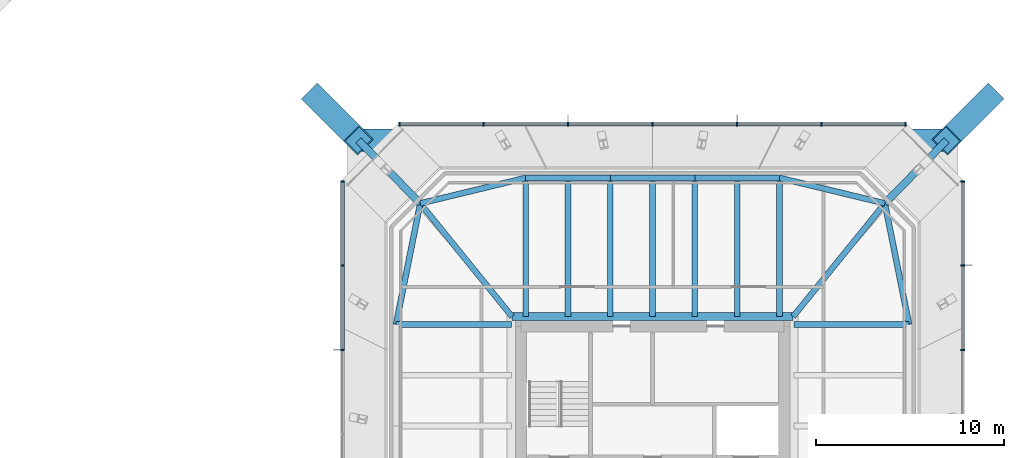
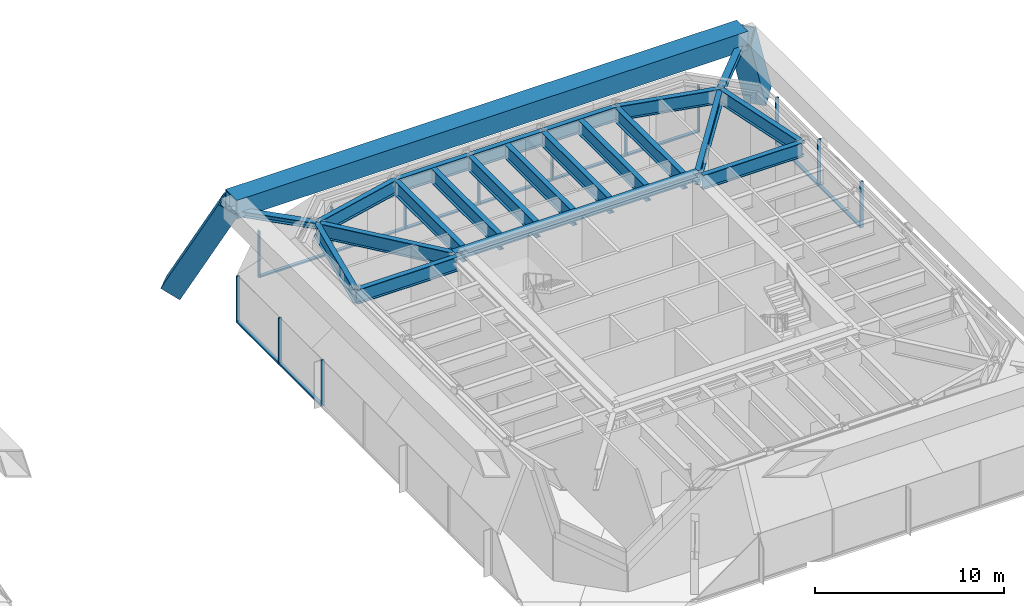
# One storey, part 7 of 16: 28 members, 19 beams, 3 elements without a shape of their own.
"""IFC4 building model written with IfcOpenShell, lengths in metres."""

from ifc_helpers import new_model, si_unit, direction, frame, origin, origin_2d, place, context, subcontext, project, spatial, rectangle, hollow_rectangle, i_section, extrude, material, material_profile, profile_set, type_object, element, aggregate, save


model = new_model("IFC4")

# Units and contexts
model_context = context("Model", 3, precision=1e-05, world=origin(), true_north=direction((0.0, 1.0)))
body_context = subcontext(model_context, "Body", "Model", "MODEL_VIEW")
ifc_project = project(units=[si_unit("LENGTHUNIT", "METRE"), si_unit("AREAUNIT", "SQUARE_METRE"), si_unit("VOLUMEUNIT", "CUBIC_METRE"), si_unit("PLANEANGLEUNIT", "RADIAN"), si_unit("MASSUNIT", "GRAM", prefix="KILO")], contexts=[model_context])

# Site, building, storey
site_placement = place(None, origin())
site = spatial("IfcSite", under=ifc_project, at=site_placement, CompositionType="ELEMENT")
building_placement = place(site_placement, origin())
building = spatial("IfcBuilding", under=site, at=building_placement, Name="Iwan Alto Co-Living Towers", CompositionType="ELEMENT")
storey_placement = place(building_placement, frame((0.0, 0.0, 74.5)))
storey = spatial("IfcBuildingStorey", under=building, at=storey_placement, Name="L20", CompositionType="ELEMENT", Elevation=74.5)

# Curtain wall, members
ifc_material_1 = material(Name="Bronze aluminium unitised frame", Category="aluminium")
curtain_wall_type = type_object("IfcCurtainWallType", Name="CURTAIN WALL CW-C", PredefinedType="NOTDEFINED", material=ifc_material_1)
curtain_wall_1_placement = place(storey_placement, origin())
curtain_wall_1 = element("IfcCurtainWall", 1, at=curtain_wall_1_placement, inside=storey, type_object=curtain_wall_type, Name="T2 curtain wall E L20", PredefinedType="NOTDEFINED")
ifc_material_2 = material(Name="Aluminium 6063-T6 bronze anodised", Category="aluminium")
ifc_material_profile_1 = material_profile(ifc_material_2, rectangle(XDim=0.199951171875, YDim=0.080078125, at=origin_2d()), Name="AL 80X200")
ifc_profile_set_1 = profile_set([ifc_material_profile_1], Name="Aluminium 6063-T6 bronze anodised")
member_type_1 = type_object("IfcMemberType", Name="CW-C MULLION 80X200", PredefinedType="MULLION", material=ifc_profile_set_1)
member_1_placement = place(storey_placement, frame((79.5, 6.75, 0.0), z_axis=(0.0, 0.0, 1.0), x_axis=(-1.0, 0.0, 0.0)))
member_1 = element("IfcMember", 2, at=member_1_placement, type_object=member_type_1, Name="CW-C mullion 6", PredefinedType="MULLION", context=body_context, shape_type="SweptSolid", body=[
    extrude(rectangle(XDim=0.199951171875, YDim=0.080078125, at=origin_2d()), origin(), (0.0, 0.0, 1.0), 3.0),
])
member_2_placement = place(storey_placement, frame((79.5, 11.25, 0.0), z_axis=(0.0, 0.0, 1.0), x_axis=(-1.0, 0.0, 0.0)))
member_2 = element("IfcMember", 3, at=member_2_placement, type_object=member_type_1, Name="CW-C mullion 7", PredefinedType="MULLION", context=body_context, shape_type="SweptSolid", body=[
    extrude(rectangle(XDim=0.199951171875, YDim=0.080078125, at=origin_2d()), origin(), (0.0, 0.0, 1.0), 3.0),
])
member_3_placement = place(storey_placement, frame((79.5, 15.7099609375, 0.0), z_axis=(0.0, 0.0, 1.0), x_axis=(-1.0, 0.0, 0.0)))
member_3 = element("IfcMember", 4, at=member_3_placement, type_object=member_type_1, Name="CW-C mullion 8", PredefinedType="MULLION", context=body_context, shape_type="SweptSolid", body=[
    extrude(rectangle(XDim=0.199951171875, YDim=0.080078125, at=origin_2d()), origin(), (0.0, 0.0, 1.0), 3.0),
])

curtain_wall_2_placement = place(storey_placement, origin())
curtain_wall_2 = element("IfcCurtainWall", 5, at=curtain_wall_2_placement, inside=storey, type_object=curtain_wall_type, Name="T2 curtain wall N L20", PredefinedType="NOTDEFINED")
member_4_placement = place(storey_placement, frame((76.4599609375, 18.75, 0.0), z_axis=(0.0, 0.0, 1.0), x_axis=(0.0, -1.0, 0.0)))
member_4 = element("IfcMember", 6, at=member_4_placement, type_object=member_type_1, Name="CW-C mullion 1", PredefinedType="MULLION", context=body_context, shape_type="SweptSolid", body=[
    extrude(rectangle(XDim=0.199951171875, YDim=0.080078125, at=origin_2d()), origin(), (0.0, 0.0, 1.0), 3.0),
])
member_5_placement = place(storey_placement, frame((72.0, 18.75, 0.0), z_axis=(0.0, 0.0, 1.0), x_axis=(0.0, -1.0, 0.0)))
member_5 = element("IfcMember", 7, at=member_5_placement, type_object=member_type_1, Name="CW-C mullion 2", PredefinedType="MULLION", context=body_context, shape_type="SweptSolid", body=[
    extrude(rectangle(XDim=0.199951171875, YDim=0.080078125, at=origin_2d()), origin(), (0.0, 0.0, 1.0), 3.0),
])
member_6_placement = place(storey_placement, frame((67.5, 18.75, 0.0), z_axis=(0.0, 0.0, 1.0), x_axis=(0.0, -1.0, 0.0)))
member_6 = element("IfcMember", 8, at=member_6_placement, type_object=member_type_1, Name="CW-C mullion 3", PredefinedType="MULLION", context=body_context, shape_type="SweptSolid", body=[
    extrude(rectangle(XDim=0.199951171875, YDim=0.080078125, at=origin_2d()), origin(), (0.0, 0.0, 1.0), 3.0),
])
member_7_placement = place(storey_placement, frame((63.0, 18.75, 0.0), z_axis=(0.0, 0.0, 1.0), x_axis=(0.0, -1.0, 0.0)))
member_7 = element("IfcMember", 9, at=member_7_placement, type_object=member_type_1, Name="CW-C mullion 4", PredefinedType="MULLION", context=body_context, shape_type="SweptSolid", body=[
    extrude(rectangle(XDim=0.199951171875, YDim=0.080078125, at=origin_2d()), origin(), (0.0, 0.0, 1.0), 3.0),
])
member_8_placement = place(storey_placement, frame((58.5, 18.75, 0.0), z_axis=(0.0, 0.0, 1.0), x_axis=(0.0, -1.0, 0.0)))
member_8 = element("IfcMember", 10, at=member_8_placement, type_object=member_type_1, Name="CW-C mullion 5", PredefinedType="MULLION", context=body_context, shape_type="SweptSolid", body=[
    extrude(rectangle(XDim=0.199951171875, YDim=0.080078125, at=origin_2d()), origin(), (0.0, 0.0, 1.0), 3.0),
])
member_9_placement = place(storey_placement, frame((54.0, 18.75, 0.0), z_axis=(0.0, 0.0, 1.0), x_axis=(0.0, -1.0, 0.0)))
member_9 = element("IfcMember", 11, at=member_9_placement, type_object=member_type_1, Name="CW-C mullion 6", PredefinedType="MULLION", context=body_context, shape_type="SweptSolid", body=[
    extrude(rectangle(XDim=0.199951171875, YDim=0.080078125, at=origin_2d()), origin(), (0.0, 0.0, 1.0), 3.0),
])
member_10_placement = place(storey_placement, frame((49.5400390625, 18.75, 0.0), z_axis=(0.0, 0.0, 1.0), x_axis=(0.0, -1.0, 0.0)))
member_10 = element("IfcMember", 12, at=member_10_placement, type_object=member_type_1, Name="CW-C mullion 7", PredefinedType="MULLION", context=body_context, shape_type="SweptSolid", body=[
    extrude(rectangle(XDim=0.199951171875, YDim=0.080078125, at=origin_2d()), origin(), (0.0, 0.0, 1.0), 3.0),
])

curtain_wall_3_placement = place(storey_placement, origin())
curtain_wall_3 = element("IfcCurtainWall", 13, at=curtain_wall_3_placement, inside=storey, type_object=curtain_wall_type, Name="T2 curtain wall W L20", PredefinedType="NOTDEFINED")
member_11_placement = place(storey_placement, frame((46.5, 15.7099609375, 0.0), z_axis=(0.0, 0.0, 1.0), x_axis=(1.0, 0.0, 0.0)))
member_11 = element("IfcMember", 14, at=member_11_placement, type_object=member_type_1, Name="CW-C mullion 1", PredefinedType="MULLION", context=body_context, shape_type="SweptSolid", body=[
    extrude(rectangle(XDim=0.199951171875, YDim=0.080078125, at=origin_2d()), origin(), (0.0, 0.0, 1.0), 3.0),
])
member_12_placement = place(storey_placement, frame((46.5, 11.25, 0.0), z_axis=(0.0, 0.0, 1.0), x_axis=(1.0, 0.0, 0.0)))
member_12 = element("IfcMember", 15, at=member_12_placement, type_object=member_type_1, Name="CW-C mullion 2", PredefinedType="MULLION", context=body_context, shape_type="SweptSolid", body=[
    extrude(rectangle(XDim=0.199951171875, YDim=0.080078125, at=origin_2d()), origin(), (0.0, 0.0, 1.0), 3.0),
])
member_13_placement = place(storey_placement, frame((46.5, 6.75, 0.0), z_axis=(0.0, 0.0, 1.0), x_axis=(1.0, 0.0, 0.0)))
member_13 = element("IfcMember", 16, at=member_13_placement, type_object=member_type_1, Name="CW-C mullion 3", PredefinedType="MULLION", context=body_context, shape_type="SweptSolid", body=[
    extrude(rectangle(XDim=0.199951171875, YDim=0.080078125, at=origin_2d()), origin(), (0.0, 0.0, 1.0), 3.0),
])

# Member
ifc_material_3 = material(Name="Aluminium 6063-T6 bronze anodised", Category="aluminium")
ifc_material_profile_2 = material_profile(ifc_material_3, rectangle(XDim=0.199951171875, YDim=0.10009765625, at=origin_2d()), Name="AL 200X100")
ifc_profile_set_2 = profile_set([ifc_material_profile_2], Name="Aluminium 6063-T6 bronze anodised")
member_type_2 = type_object("IfcMemberType", Name="CW-C TRANSOM 200X100", PredefinedType="USERDEFINED", material=ifc_profile_set_2)
member_14_placement = place(storey_placement, frame((79.5, 6.7900390625, 0.050048828125), z_axis=(0.0, 1.0, 0.0), x_axis=(-1.0, 0.0, 0.0)))
member_14 = element("IfcMember", 17, at=member_14_placement, type_object=member_type_2, Name="CW-C transom 6.1", ObjectType="TRANSOM", PredefinedType="USERDEFINED", context=body_context, shape_type="SweptSolid", body=[
    extrude(rectangle(XDim=0.199951171875, YDim=0.10009765625, at=origin_2d()), origin(), (0.0, 0.0, 1.0), 4.419921875),
])

member_15_placement = place(storey_placement, frame((79.5, 11.2900390625, 0.050048828125), z_axis=(0.0, 1.0, 0.0), x_axis=(-1.0, 0.0, 0.0)))
member_15 = element("IfcMember", 18, at=member_15_placement, type_object=member_type_2, Name="CW-C transom 7.1", ObjectType="TRANSOM", PredefinedType="USERDEFINED", context=body_context, shape_type="SweptSolid", body=[
    extrude(rectangle(XDim=0.199951171875, YDim=0.10009765625, at=origin_2d()), origin(), (0.0, 0.0, 1.0), 4.3798828125),
])

aggregate(curtain_wall_1, [member_1, member_2, member_3, member_14, member_15])

member_16_placement = place(storey_placement, frame((76.419921875, 18.75, 0.050048828125), z_axis=(-1.0, 0.0, 0.0), x_axis=(0.0, -1.0, 0.0)))
member_16 = element("IfcMember", 19, at=member_16_placement, type_object=member_type_2, Name="CW-C transom 1.1", ObjectType="TRANSOM", PredefinedType="USERDEFINED", context=body_context, shape_type="SweptSolid", body=[
    extrude(rectangle(XDim=0.199951171875, YDim=0.10009765625, at=origin_2d()), origin(), (0.0, 0.0, 1.0), 4.3798828125),
])

member_17_placement = place(storey_placement, frame((71.9599609375, 18.75, 0.050048828125), z_axis=(-1.0, 0.0, 0.0), x_axis=(0.0, -1.0, 0.0)))
member_17 = element("IfcMember", 20, at=member_17_placement, type_object=member_type_2, Name="CW-C transom 2.1", ObjectType="TRANSOM", PredefinedType="USERDEFINED", context=body_context, shape_type="SweptSolid", body=[
    extrude(rectangle(XDim=0.199951171875, YDim=0.10009765625, at=origin_2d()), origin(), (0.0, 0.0, 1.0), 4.419921875),
])

member_18_placement = place(storey_placement, frame((67.4599609375, 18.75, 0.050048828125), z_axis=(-1.0, 0.0, 0.0), x_axis=(0.0, -1.0, 0.0)))
member_18 = element("IfcMember", 21, at=member_18_placement, type_object=member_type_2, Name="CW-C transom 3.1", ObjectType="TRANSOM", PredefinedType="USERDEFINED", context=body_context, shape_type="SweptSolid", body=[
    extrude(rectangle(XDim=0.199951171875, YDim=0.10009765625, at=origin_2d()), origin(), (0.0, 0.0, 1.0), 4.419921875),
])

member_19_placement = place(storey_placement, frame((62.9599609375, 18.75, 0.050048828125), z_axis=(-1.0, 0.0, 0.0), x_axis=(0.0, -1.0, 0.0)))
member_19 = element("IfcMember", 22, at=member_19_placement, type_object=member_type_2, Name="CW-C transom 4.1", ObjectType="TRANSOM", PredefinedType="USERDEFINED", context=body_context, shape_type="SweptSolid", body=[
    extrude(rectangle(XDim=0.199951171875, YDim=0.10009765625, at=origin_2d()), origin(), (0.0, 0.0, 1.0), 4.419921875),
])

member_20_placement = place(storey_placement, frame((58.4599609375, 18.75, 0.050048828125), z_axis=(-1.0, 0.0, 0.0), x_axis=(0.0, -1.0, 0.0)))
member_20 = element("IfcMember", 23, at=member_20_placement, type_object=member_type_2, Name="CW-C transom 5.1", ObjectType="TRANSOM", PredefinedType="USERDEFINED", context=body_context, shape_type="SweptSolid", body=[
    extrude(rectangle(XDim=0.199951171875, YDim=0.10009765625, at=origin_2d()), origin(), (0.0, 0.0, 1.0), 4.419921875),
])

member_21_placement = place(storey_placement, frame((53.9599609375, 18.75, 0.050048828125), z_axis=(-1.0, 0.0, 0.0), x_axis=(0.0, -1.0, 0.0)))
member_21 = element("IfcMember", 24, at=member_21_placement, type_object=member_type_2, Name="CW-C transom 6.1", ObjectType="TRANSOM", PredefinedType="USERDEFINED", context=body_context, shape_type="SweptSolid", body=[
    extrude(rectangle(XDim=0.199951171875, YDim=0.10009765625, at=origin_2d()), origin(), (0.0, 0.0, 1.0), 4.3798828125),
])

aggregate(curtain_wall_2, [member_4, member_5, member_6, member_7, member_8, member_9, member_10, member_16, member_17, member_18, member_19, member_20, member_21])

member_22_placement = place(storey_placement, frame((46.5, 15.669921875, 0.050048828125), z_axis=(0.0, -1.0, 0.0), x_axis=(1.0, 0.0, 0.0)))
member_22 = element("IfcMember", 25, at=member_22_placement, type_object=member_type_2, Name="CW-C transom 1.1", ObjectType="TRANSOM", PredefinedType="USERDEFINED", context=body_context, shape_type="SweptSolid", body=[
    extrude(rectangle(XDim=0.199951171875, YDim=0.10009765625, at=origin_2d()), origin(), (0.0, 0.0, 1.0), 4.3798828125),
])

member_23_placement = place(storey_placement, frame((46.5, 11.2099609375, 0.050048828125), z_axis=(0.0, -1.0, 0.0), x_axis=(1.0, 0.0, 0.0)))
member_23 = element("IfcMember", 26, at=member_23_placement, type_object=member_type_2, Name="CW-C transom 2.1", ObjectType="TRANSOM", PredefinedType="USERDEFINED", context=body_context, shape_type="SweptSolid", body=[
    extrude(rectangle(XDim=0.199951171875, YDim=0.10009765625, at=origin_2d()), origin(), (0.0, 0.0, 1.0), 4.419921875),
])

aggregate(curtain_wall_3, [member_11, member_12, member_13, member_22, member_23])

# Beams
ifc_material_4 = material(Name="Steel ASTM A992 Gr 50", Category="steel")
ifc_material_profile_3 = material_profile(ifc_material_4, i_section(OverallWidth=0.436767578125, OverallDepth=0.51318359375, WebThickness=0.060546875, FlangeThickness=0.096923828125, at=origin_2d()), Name="W14X550")
ifc_profile_set_3 = profile_set([ifc_material_profile_3], Name="Steel ASTM A992 Gr 50")
beam_type_1 = type_object("IfcBeamType", Name="T2 CORE LEDGER BEAM W14X550", PredefinedType="BEAM", material=ifc_profile_set_3)
beam_1_placement = place(storey_placement, frame((70.47705078125, 8.5185546875, 5.513427734375), z_axis=(-1.0, 0.0, 0.0), x_axis=(0.0, -1.0, 0.0)))
element("IfcBeam", 27, at=beam_1_placement, inside=storey, type_object=beam_type_1, Name="T2 core ledger beam N L21", PredefinedType="BEAM", context=body_context, shape_type="SweptSolid", body=[
    extrude(i_section(OverallWidth=0.436767578125, OverallDepth=0.51318359375, WebThickness=0.060546875, FlangeThickness=0.096923828125, at=origin_2d()), origin(), (0.0, 0.0, 1.0), 14.9541015625),
])
ifc_material_5 = material(Name="Steel ASTM A992 Gr 50", Category="steel")
ifc_material_profile_4 = material_profile(ifc_material_5, i_section(OverallWidth=0.307373046875, OverallDepth=0.927001953125, WebThickness=0.01953125, FlangeThickness=0.031982421875, at=origin_2d()), Name="W36X194")
ifc_profile_set_4 = profile_set([ifc_material_profile_4], Name="Steel ASTM A992 Gr 50")
beam_type_2 = type_object("IfcBeamType", Name="T2 CORNER GIRDER W36X194", PredefinedType="BEAM", material=ifc_profile_set_4)
for number, where, z_axis, x_axis, name in (
    (28, (75.361328125, 14.542724609375, 5.306396484375), (-0.629787584927, -0.776767402683, 0.0), (0.776767402683, -0.629787584927, 0.0), "T2 corner girder CNE L21"),
    (29, (50.638671875, 14.542724609375, 5.306396484375), (0.629787584927, -0.776767402683, 0.0), (0.776767402683, 0.629787584927, 0.0), "T2 corner girder CNW L21"),
):
    element("IfcBeam", number, at=place(storey_placement, frame(where, z_axis=z_axis, x_axis=x_axis)), inside=storey, type_object=beam_type_2, Name=name, PredefinedType="BEAM", context=body_context, shape_type="SweptSolid", body=[
        extrude(i_section(OverallWidth=0.307373046875, OverallDepth=0.927001953125, WebThickness=0.01953125, FlangeThickness=0.031982421875, at=origin_2d()), origin(), (0.0, 0.0, 1.0), 7.75537109375),
    ])
ifc_material_6 = material(Name="Steel ASTM A992 Gr 50", Category="steel")
ifc_material_profile_5 = material_profile(ifc_material_6, i_section(OverallWidth=0.307373046875, OverallDepth=0.927001953125, WebThickness=0.01953125, FlangeThickness=0.031982421875, at=origin_2d()), Name="W36X194")
ifc_profile_set_5 = profile_set([ifc_material_profile_5], Name="Steel ASTM A992 Gr 50")
beam_type_3 = type_object("IfcBeamType", Name="T2 EDGE BEAM W36X194", PredefinedType="BEAM", material=ifc_profile_set_5)
beam_2_placement = place(storey_placement, frame((76.64990234375, 8.10009765625, 5.306396484375), z_axis=(-0.196123281025, 0.980579246487, 0.0), x_axis=(-0.980579246487, -0.196123281025, 0.0)))
element("IfcBeam", 30, at=beam_2_placement, inside=storey, type_object=beam_type_3, Name="T2 edge beam E4 L21", PredefinedType="BEAM", context=body_context, shape_type="SweptSolid", body=[
    extrude(i_section(OverallWidth=0.307373046875, OverallDepth=0.927001953125, WebThickness=0.01953125, FlangeThickness=0.031982421875, at=origin_2d()), origin(), (0.0, 0.0, 1.0), 6.5703125),
])
beam_3_placement = place(storey_placement, frame((75.361328125, 14.542724609375, 5.306396484375), z_axis=(-0.971974673138, 0.235085590323, 0.0), x_axis=(-0.235085590323, -0.971974673138, 0.0)))
element("IfcBeam", 31, at=beam_3_placement, inside=storey, type_object=beam_type_3, Name="T2 edge beam CNE L21", PredefinedType="BEAM", context=body_context, shape_type="SweptSolid", body=[
    extrude(i_section(OverallWidth=0.307373046875, OverallDepth=0.927001953125, WebThickness=0.01953125, FlangeThickness=0.031982421875, at=origin_2d()), origin(), (0.0, 0.0, 1.0), 5.773193359375),
])
for number, where, z_axis, x_axis, name in (
    (32, (69.75, 15.89990234375, 5.306396484375), (-1.0, 0.0, 0.0), (0.0, -1.0, 0.0), "T2 edge beam N1 L21"),
    (33, (65.25, 15.89990234375, 5.306396484375), (-1.0, 0.0, 0.0), (0.0, -1.0, 0.0), "T2 edge beam N2 L21"),
    (34, (60.75, 15.89990234375, 5.306396484375), (-1.0, 0.0, 0.0), (0.0, -1.0, 0.0), "T2 edge beam N3 L21"),
):
    element("IfcBeam", number, at=place(storey_placement, frame(where, z_axis=z_axis, x_axis=x_axis)), inside=storey, type_object=beam_type_3, Name=name, PredefinedType="BEAM", context=body_context, shape_type="SweptSolid", body=[
        extrude(i_section(OverallWidth=0.307373046875, OverallDepth=0.927001953125, WebThickness=0.01953125, FlangeThickness=0.031982421875, at=origin_2d()), origin(), (0.0, 0.0, 1.0), 4.5),
    ])
beam_4_placement = place(storey_placement, frame((56.25, 15.89990234375, 5.306396484375), z_axis=(-0.971974673138, -0.235085590323, 0.0), x_axis=(0.235085590323, -0.971974673138, 0.0)))
element("IfcBeam", 35, at=beam_4_placement, inside=storey, type_object=beam_type_3, Name="T2 edge beam N4 L21", PredefinedType="BEAM", context=body_context, shape_type="SweptSolid", body=[
    extrude(i_section(OverallWidth=0.307373046875, OverallDepth=0.927001953125, WebThickness=0.01953125, FlangeThickness=0.031982421875, at=origin_2d()), origin(), (0.0, 0.0, 1.0), 5.773193359375),
])
beam_5_placement = place(storey_placement, frame((50.638671875, 14.542724609375, 5.306396484375), z_axis=(-0.196123281025, -0.980579246487, 0.0), x_axis=(0.980579246487, -0.196123281025, 0.0)))
element("IfcBeam", 36, at=beam_5_placement, inside=storey, type_object=beam_type_3, Name="T2 edge beam CNW L21", PredefinedType="BEAM", context=body_context, shape_type="SweptSolid", body=[
    extrude(i_section(OverallWidth=0.307373046875, OverallDepth=0.927001953125, WebThickness=0.01953125, FlangeThickness=0.031982421875, at=origin_2d()), origin(), (0.0, 0.0, 1.0), 6.5703125),
])

# Members
ifc_material_7 = material(Name="Steel ASTM A572 Gr 50", Category="steel")
ifc_material_profile_6 = material_profile(ifc_material_7, hollow_rectangle(XDim=1.199951171875, YDim=1.199951171875, WallThickness=0.070068359375, at=origin_2d()), Name="BOX 1200X1200X70")
ifc_profile_set_6 = profile_set([ifc_material_profile_6], Name="Steel ASTM A572 Gr 50")
member_type_3 = type_object("IfcMemberType", Name="T2 MEGA BELT TIE BOX 1200X1200X70", PredefinedType="STRUT", material=ifc_profile_set_6)
member_24_placement = place(storey_placement, frame((78.64990234375, 17.89990234375, 6.0), z_axis=(-1.0, 0.0, 0.0), x_axis=(0.0, -1.0, 0.0)))
element("IfcMember", 37, at=member_24_placement, inside=storey, type_object=member_type_3, Name="T2 mega belt tie N L21", PredefinedType="STRUT", context=body_context, shape_type="SweptSolid", body=[
    extrude(hollow_rectangle(XDim=1.199951171875, YDim=1.199951171875, WallThickness=0.070068359375, at=origin_2d()), origin(), (0.0, 0.0, 1.0), 31.2998046875),
])
ifc_material_8 = material(Name="Steel ASTM A992 Gr 50", Category="steel")
ifc_material_profile_7 = material_profile(ifc_material_8, i_section(OverallWidth=0.393798828125, OverallDepth=0.3759765625, WebThickness=0.017333984375, FlangeThickness=0.027587890625, at=origin_2d()), Name="W14X145")
ifc_profile_set_7 = profile_set([ifc_material_profile_7], Name="Steel ASTM A992 Gr 50")
member_type_4 = type_object("IfcMemberType", Name="T2 MEGA COLUMN FLOOR TIE W14X145", PredefinedType="STRUT", material=ifc_profile_set_7)
for number, where, z_axis, x_axis, name in (
    (38, (78.64990234375, 17.89990234375, 5.58203125), (-0.699770096147, -0.714368121166, 0.0), (0.714368121166, -0.699770096147, 0.0), "T2 mega column floor tie NE L21"),
    (39, (47.35009765625, 17.89990234375, 5.58203125), (0.699770096147, -0.714368121166, 0.0), (0.714368121166, 0.699770096147, 0.0), "T2 mega column floor tie NW L21"),
):
    element("IfcMember", number, at=place(storey_placement, frame(where, z_axis=z_axis, x_axis=x_axis)), inside=storey, type_object=member_type_4, Name=name, PredefinedType="STRUT", context=body_context, shape_type="SweptSolid", body=[
        extrude(i_section(OverallWidth=0.393798828125, OverallDepth=0.3759765625, WebThickness=0.017333984375, FlangeThickness=0.027587890625, at=origin_2d()), origin(), (0.0, 0.0, 1.0), 4.699462890625),
    ])

# Beams
ifc_material_9 = material(Name="Steel ASTM A992 Gr 50", Category="steel")
ifc_material_profile_8 = material_profile(ifc_material_9, i_section(OverallWidth=0.307373046875, OverallDepth=0.927001953125, WebThickness=0.01953125, FlangeThickness=0.031982421875, at=origin_2d()), Name="W36X194")
ifc_profile_set_8 = profile_set([ifc_material_profile_8], Name="Steel ASTM A992 Gr 50")
beam_type_4 = type_object("IfcBeamType", Name="T2 RADIAL BEAM W36X194", PredefinedType="BEAM", material=ifc_profile_set_8)
beam_6_placement = place(storey_placement, frame((76.64990234375, 8.10009765625, 5.306396484375), z_axis=(-1.0, 0.0, 0.0), x_axis=(0.0, -1.0, 0.0)))
element("IfcBeam", 40, at=beam_6_placement, inside=storey, type_object=beam_type_4, Name="T2 radial beam E4 L21", PredefinedType="BEAM", context=body_context, shape_type="SweptSolid", body=[
    extrude(i_section(OverallWidth=0.307373046875, OverallDepth=0.927001953125, WebThickness=0.01953125, FlangeThickness=0.031982421875, at=origin_2d()), origin(), (0.0, 0.0, 1.0), 6.13134765625),
])
for number, where, z_axis, x_axis, name in (
    (41, (69.75, 15.89990234375, 5.306396484375), (0.0, -1.0, 0.0), (1.0, 0.0, 0.0), "T2 radial beam N1 L21"),
    (42, (65.25, 15.89990234375, 5.306396484375), (0.0, -1.0, 0.0), (1.0, 0.0, 0.0), "T2 radial beam N2 L21"),
    (43, (60.75, 15.89990234375, 5.306396484375), (0.0, -1.0, 0.0), (1.0, 0.0, 0.0), "T2 radial beam N3 L21"),
    (44, (56.25, 15.89990234375, 5.306396484375), (0.0, -1.0, 0.0), (1.0, 0.0, 0.0), "T2 radial beam N4 L21"),
):
    element("IfcBeam", number, at=place(storey_placement, frame(where, z_axis=z_axis, x_axis=x_axis)), inside=storey, type_object=beam_type_4, Name=name, PredefinedType="BEAM", context=body_context, shape_type="SweptSolid", body=[
        extrude(i_section(OverallWidth=0.307373046875, OverallDepth=0.927001953125, WebThickness=0.01953125, FlangeThickness=0.031982421875, at=origin_2d()), origin(), (0.0, 0.0, 1.0), 7.38134765625),
    ])
beam_7_placement = place(storey_placement, frame((49.35009765625, 8.10009765625, 5.306396484375), z_axis=(1.0, 0.0, 0.0), x_axis=(0.0, 1.0, 0.0)))
element("IfcBeam", 45, at=beam_7_placement, inside=storey, type_object=beam_type_4, Name="T2 radial beam W1 L21", PredefinedType="BEAM", context=body_context, shape_type="SweptSolid", body=[
    extrude(i_section(OverallWidth=0.307373046875, OverallDepth=0.927001953125, WebThickness=0.01953125, FlangeThickness=0.031982421875, at=origin_2d()), origin(), (0.0, 0.0, 1.0), 6.13134765625),
])

# Members
ifc_material_10 = material(Name="Steel ASTM A572 Gr 50", Category="steel")
ifc_material_profile_9 = material_profile(ifc_material_10, hollow_rectangle(XDim=1.199951171875, YDim=1.199951171875, WallThickness=0.070068359375, at=origin_2d()), Name="BOX 1200X1200X70")
ifc_profile_set_9 = profile_set([ifc_material_profile_9], Name="Steel ASTM A572 Gr 50")
member_type_5 = type_object("IfcMemberType", Name="T2 RAKING MEGA COLUMN BOX 1200X1200X70", PredefinedType="MEMBER", material=ifc_profile_set_9)
for number, where, z_axis, x_axis, name in (
    (46, (80.89990234375, 20.14990234375, 0.0), (-0.331294578225, -0.331294578225, 0.883452208599), (0.707106781187, -0.707106781187, 0.0), "T2 raking mega column NE L20"),
    (47, (45.10009765625, 20.14990234375, 0.0), (0.331294578225, -0.331294578225, 0.883452208599), (0.707106781187, 0.707106781187, 0.0), "T2 raking mega column NW L20"),
):
    element("IfcMember", number, at=place(storey_placement, frame(where, z_axis=z_axis, x_axis=x_axis)), inside=storey, type_object=member_type_5, Name=name, PredefinedType="MEMBER", context=body_context, shape_type="SweptSolid", body=[
        extrude(hollow_rectangle(XDim=1.199951171875, YDim=1.199951171875, WallThickness=0.070068359375, at=origin_2d()), origin(), (0.0, 0.0, 1.0), 6.79150390625),
    ])

# Beams
ifc_material_11 = material(Name="Steel ASTM A992 Gr 50", Category="steel")
ifc_material_profile_10 = material_profile(ifc_material_11, i_section(OverallWidth=0.307373046875, OverallDepth=0.927001953125, WebThickness=0.01953125, FlangeThickness=0.031982421875, at=origin_2d()), Name="W36X194")
ifc_profile_set_10 = profile_set([ifc_material_profile_10], Name="Steel ASTM A992 Gr 50")
beam_type_5 = type_object("IfcBeamType", Name="T2 SECONDARY BEAM W36X194", PredefinedType="JOIST", material=ifc_profile_set_10)
for number, where, z_axis, x_axis, name in (
    (48, (67.5, 15.89990234375, 5.306396484375), (0.0, -1.0, 0.0), (1.0, 0.0, 0.0), "T2 secondary beam N1 L21"),
    (49, (63.0, 15.89990234375, 5.306396484375), (0.0, -1.0, 0.0), (1.0, 0.0, 0.0), "T2 secondary beam N2 L21"),
    (50, (58.5, 15.89990234375, 5.306396484375), (0.0, -1.0, 0.0), (1.0, 0.0, 0.0), "T2 secondary beam N3 L21"),
):
    element("IfcBeam", number, at=place(storey_placement, frame(where, z_axis=z_axis, x_axis=x_axis)), inside=storey, type_object=beam_type_5, Name=name, PredefinedType="JOIST", context=body_context, shape_type="SweptSolid", body=[
        extrude(i_section(OverallWidth=0.307373046875, OverallDepth=0.927001953125, WebThickness=0.01953125, FlangeThickness=0.031982421875, at=origin_2d()), origin(), (0.0, 0.0, 1.0), 7.38134765625),
    ])

save(model, "model.ifc")
